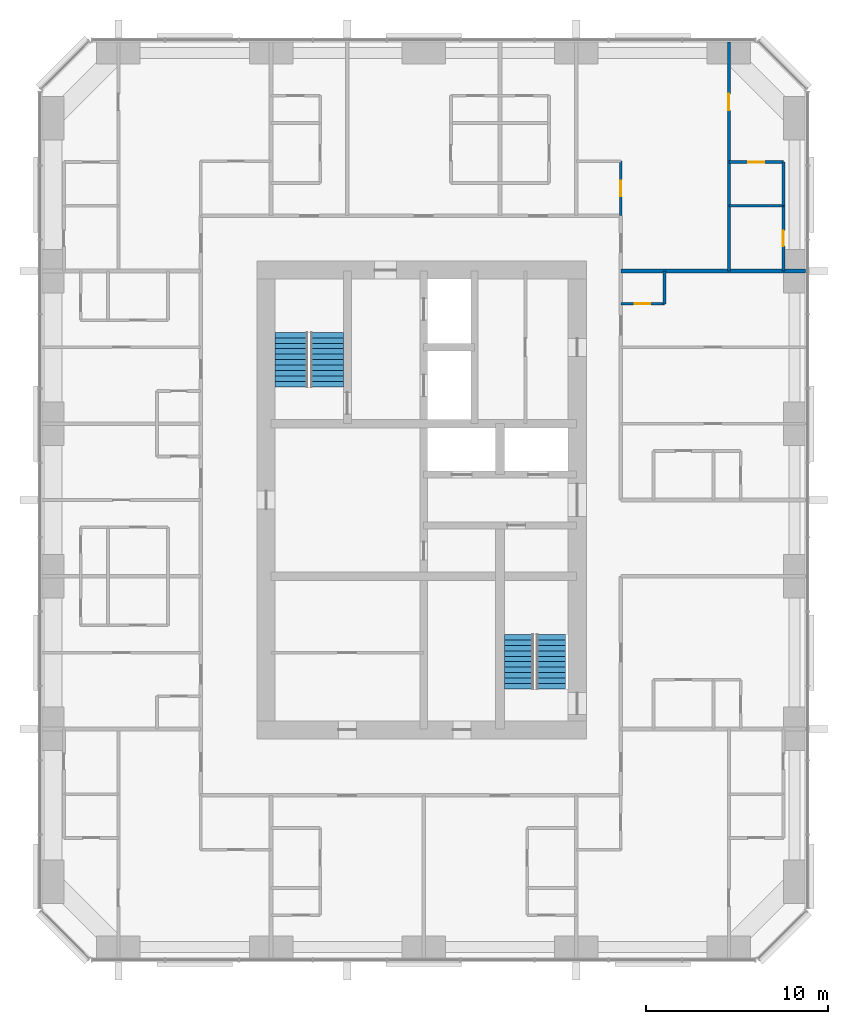
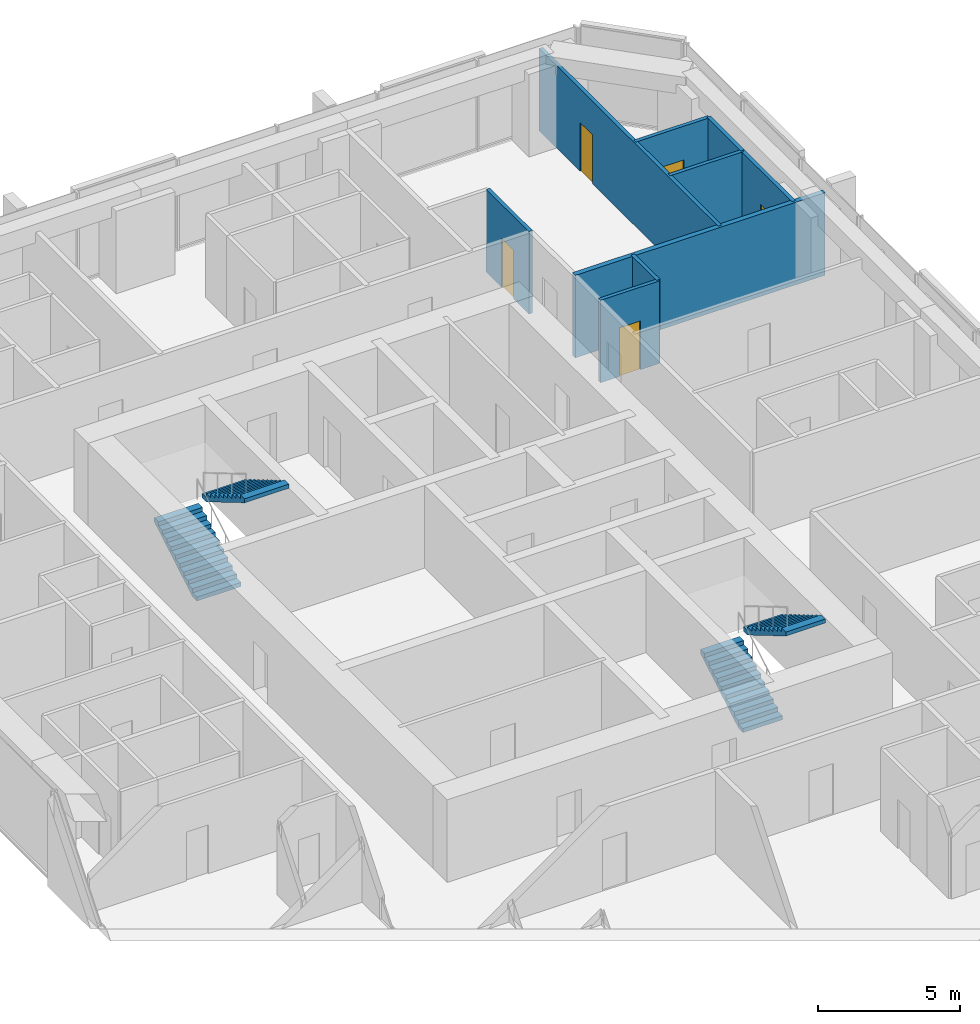
# One storey, part 11 of 12: 9 walls, 5 doors, 4 stair flights, 5 openings, 2 elements without a shape of their own.
"""IFC4 building model written with IfcOpenShell, lengths in metres."""

from ifc_helpers import new_model, si_unit, direction, frame, frame_2d, origin, place, context, subcontext, project, spatial, polyline, rectangle, outline, extrude, material, layer, layer_set, type_object, element, fill, aggregate, save


model = new_model("IFC4")

# Units and contexts
model_context = context("Model", 3, precision=1e-05, world=origin(), true_north=direction((0.0, 1.0)))
body_context = subcontext(model_context, "Body", "Model", "MODEL_VIEW")
ifc_project = project(units=[si_unit("LENGTHUNIT", "METRE"), si_unit("AREAUNIT", "SQUARE_METRE"), si_unit("VOLUMEUNIT", "CUBIC_METRE"), si_unit("PLANEANGLEUNIT", "RADIAN"), si_unit("MASSUNIT", "GRAM", prefix="KILO")], contexts=[model_context])

# Site, building, storey
site_placement = place(None, origin())
site = spatial("IfcSite", under=ifc_project, at=site_placement, CompositionType="ELEMENT")
building_placement = place(site_placement, origin())
building = spatial("IfcBuilding", under=site, at=building_placement, Name="Dunama Terrace Hotel", CompositionType="ELEMENT")
storey_placement = place(building_placement, frame((0.0, 0.0, 229.5)))
storey = spatial("IfcBuildingStorey", under=building, at=storey_placement, Name="L59", CompositionType="ELEMENT", Elevation=229.5)

# Wall, opening, door
ifc_material_1 = material(Name="Gypsum board partition", Category="masonry")
ifc_layer_1 = layer(ifc_material_1, 0.14990234375)
ifc_layer_set_1 = layer_set([ifc_layer_1], Name="Bathroom partition 150")
wall_type_1 = type_object("IfcWallType", Name="Bathroom partition 150", PredefinedType="PARTITIONING", material=ifc_layer_set_1)
wall_1_placement = place(storey_placement, frame((44.449951171875, 45.050048828125, 0.0), z_axis=(0.0, 0.0, 1.0), x_axis=(0.0, 1.0, 0.0)))
wall_1 = element("IfcWall", 1, at=wall_1_placement, inside=storey, type_object=wall_type_1, Name="Bathroom partition 150 L59", PredefinedType="PARTITIONING", context=body_context, shape_type="SweptSolid", body=[
    extrude(rectangle(XDim=3.0, YDim=0.14990234375, at=frame_2d((1.5, 0.0))), origin(), (0.0, 0.0, 1.0), 3.550048828125),
])
opening_1_placement = place(wall_1_placement, frame((1.074951171875, 0.0, 0.0)))
opening_1 = element("IfcOpeningElement", 2, at=opening_1_placement, cuts=wall_1, Name="Opening L59-057", PredefinedType="OPENING", context=body_context, shape_type="SweptSolid", body=[
    extrude(rectangle(XDim=0.85009765625, YDim=2.10009765625, at=frame_2d((0.425048828125, 1.050048828125))), frame((0.0, 0.0849609375, 0.0), z_axis=(0.0, -1.0, 0.0), x_axis=(1.0, 0.0, 0.0)), (0.0, 0.0, 1.0), 0.169921875),
])
ifc_material_2 = material(Name="Timber door with steel frame", Category="steel")
door_type_1 = type_object("IfcDoorType", Name="Bathroom door 850", OperationType="SINGLE_SWING_LEFT", PredefinedType="DOOR", material=ifc_material_2)
door_1_placement = place(opening_1_placement, origin())
door_1 = element("IfcDoor", 3, at=door_1_placement, inside=storey, type_object=door_type_1, Name="Door to powder room L59-057, type D2", OperationType="SINGLE_SWING_LEFT", OverallHeight=2.10009765625, OverallWidth=0.85009765625, PredefinedType="DOOR", context=body_context, shape_type="SweptSolid", body=[
    extrude(rectangle(XDim=0.85009765625, YDim=2.10009765625, at=frame_2d((0.425048828125, 1.050048828125))), frame((0.0, 0.02490234375, 0.0), z_axis=(0.0, -1.0, 0.0), x_axis=(1.0, 0.0, 0.0)), (0.0, 0.0, 1.0), 0.050048828125),
])
fill(opening_1, door_1)

# Wall
wall_2_placement = place(storey_placement, frame((46.85009765625, 40.199951171875, 0.0), z_axis=(0.0, 0.0, 1.0), x_axis=(0.0, 1.0, 0.0)))
element("IfcWall", 4, at=wall_2_placement, inside=storey, type_object=wall_type_1, Name="Bathroom partition 150 L59", PredefinedType="PARTITIONING", context=body_context, shape_type="SweptSolid", body=[
    extrude(rectangle(XDim=1.800048828125, YDim=0.14990234375, at=frame_2d((0.89990234375, 0.0))), origin(), (0.0, 0.0, 1.0), 3.550048828125),
])

# Wall, opening, door
wall_3_placement = place(storey_placement, frame((53.39990234375, 42.0, 0.0), z_axis=(0.0, 0.0, 1.0), x_axis=(0.0, 1.0, 0.0)))
wall_3 = element("IfcWall", 5, at=wall_3_placement, inside=storey, type_object=wall_type_1, Name="Bathroom partition 150 L59", PredefinedType="PARTITIONING", context=body_context, shape_type="SweptSolid", body=[
    extrude(rectangle(XDim=3.60009765625, YDim=0.14990234375, at=frame_2d((1.800048828125, 0.0))), origin(), (0.0, 0.0, 1.0), 3.550048828125),
])
opening_2_placement = place(wall_3_placement, frame((1.375, 0.0, 0.0)))
opening_2 = element("IfcOpeningElement", 6, at=opening_2_placement, cuts=wall_3, Name="Opening L59-059", PredefinedType="OPENING", context=body_context, shape_type="SweptSolid", body=[
    extrude(rectangle(XDim=0.85009765625, YDim=2.10009765625, at=frame_2d((0.425048828125, 1.050048828125))), frame((0.0, 0.0849609375, 0.0), z_axis=(0.0, -1.0, 0.0), x_axis=(1.0, 0.0, 0.0)), (0.0, 0.0, 1.0), 0.169921875),
])
door_2_placement = place(opening_2_placement, origin())
door_2 = element("IfcDoor", 7, at=door_2_placement, inside=storey, type_object=door_type_1, Name="Door to en-suite bathroom L59-059, type D2", OperationType="SINGLE_SWING_LEFT", OverallHeight=2.10009765625, OverallWidth=0.85009765625, PredefinedType="DOOR", context=body_context, shape_type="SweptSolid", body=[
    extrude(rectangle(XDim=0.85009765625, YDim=2.10009765625, at=frame_2d((0.425048828125, 1.050048828125))), frame((0.0, 0.02490234375, 0.0), z_axis=(0.0, -1.0, 0.0), x_axis=(1.0, 0.0, 0.0)), (0.0, 0.0, 1.0), 0.050048828125),
])
fill(opening_2, door_2)

wall_4_placement = place(storey_placement, frame((44.449951171875, 40.199951171875, 0.0), z_axis=(0.0, 0.0, 1.0), x_axis=(1.0, 0.0, 0.0)))
wall_4 = element("IfcWall", 8, at=wall_4_placement, inside=storey, type_object=wall_type_1, Name="Bathroom partition 150 L59", PredefinedType="PARTITIONING", context=body_context, shape_type="SweptSolid", body=[
    extrude(rectangle(XDim=2.400146484375, YDim=0.14990234375, at=frame_2d((1.2001953125, 0.0))), origin(), (0.0, 0.0, 1.0), 3.550048828125),
])
opening_3_placement = place(wall_4_placement, frame((0.77490234375, 0.0, 0.0)))
opening_3 = element("IfcOpeningElement", 9, at=opening_3_placement, cuts=wall_4, Name="Opening L59-017", PredefinedType="OPENING", context=body_context, shape_type="SweptSolid", body=[
    extrude(rectangle(XDim=0.85009765625, YDim=2.10009765625, at=frame_2d((0.425048828125, 1.050048828125))), frame((0.0, 0.0849609375, 0.0), z_axis=(0.0, -1.0, 0.0), x_axis=(1.0, 0.0, 0.0)), (0.0, 0.0, 1.0), 0.169921875),
])
door_3_placement = place(opening_3_placement, origin())
door_3 = element("IfcDoor", 10, at=door_3_placement, inside=storey, type_object=door_type_1, Name="Door to powder room L59-017, type D2", OperationType="SINGLE_SWING_LEFT", OverallHeight=2.10009765625, OverallWidth=0.85009765625, PredefinedType="DOOR", context=body_context, shape_type="SweptSolid", body=[
    extrude(rectangle(XDim=0.85009765625, YDim=2.10009765625, at=frame_2d((0.425048828125, 1.050048828125))), frame((0.0, 0.02490234375, 0.0), z_axis=(0.0, -1.0, 0.0), x_axis=(1.0, 0.0, 0.0)), (0.0, 0.0, 1.0), 0.050048828125),
])
fill(opening_3, door_3)

# Wall
ifc_material_3 = material(Name="Concrete blockwork", Category="masonry")
ifc_layer_2 = layer(ifc_material_3, 0.199951171875)
ifc_layer_set_2 = layer_set([ifc_layer_2], Name="Party wall 200")
wall_type_2 = type_object("IfcWallType", Name="Party wall 200", PredefinedType="PARTITIONING", material=ifc_layer_set_2)
wall_5_placement = place(storey_placement, frame((44.449951171875, 42.0, 0.0), z_axis=(0.0, 0.0, 1.0), x_axis=(1.0, 0.0, 0.0)))
element("IfcWall", 11, at=wall_5_placement, inside=storey, type_object=wall_type_2, Name="Party wall 200 L59", PredefinedType="PARTITIONING", context=body_context, shape_type="SweptSolid", body=[
    extrude(rectangle(XDim=10.16796875, YDim=0.199951171875, at=frame_2d((5.083984375, 0.0))), origin(), (0.0, 0.0, 1.0), 3.550048828125),
])

# Wall, opening, door
ifc_material_4 = material(Name="Gypsum board partition", Category="masonry")
ifc_layer_3 = layer(ifc_material_4, 0.14990234375)
ifc_layer_set_3 = layer_set([ifc_layer_3], Name="Room partition 150")
wall_type_3 = type_object("IfcWallType", Name="Room partition 150", PredefinedType="PARTITIONING", material=ifc_layer_set_3)
wall_6_placement = place(storey_placement, frame((50.39990234375, 42.0, 0.0), z_axis=(0.0, 0.0, 1.0), x_axis=(0.0, 1.0, 0.0)))
wall_6 = element("IfcWall", 12, at=wall_6_placement, inside=storey, type_object=wall_type_3, Name="Room partition 150 L59", PredefinedType="PARTITIONING", context=body_context, shape_type="SweptSolid", body=[
    extrude(rectangle(XDim=12.617919921875, YDim=0.14990234375, at=frame_2d((6.30908203125, 0.0))), origin(), (0.0, 0.0, 1.0), 3.550048828125),
])
opening_4_placement = place(wall_6_placement, frame((8.85009765625, 0.0, 0.0)))
opening_4 = element("IfcOpeningElement", 13, at=opening_4_placement, cuts=wall_6, Name="Opening L59-058", PredefinedType="OPENING", context=body_context, shape_type="SweptSolid", body=[
    extrude(rectangle(XDim=0.89990234375, YDim=2.10009765625, at=frame_2d((0.449951171875, 1.050048828125))), frame((0.0, 0.0849609375, 0.0), z_axis=(0.0, -1.0, 0.0), x_axis=(1.0, 0.0, 0.0)), (0.0, 0.0, 1.0), 0.169921875),
])
ifc_material_5 = material(Name="Timber door with steel frame", Category="steel")
door_type_2 = type_object("IfcDoorType", Name="Suite internal door 900", OperationType="SINGLE_SWING_LEFT", PredefinedType="DOOR", material=ifc_material_5)
door_4_placement = place(opening_4_placement, frame((0.89990234375, 0.0, 0.0), z_axis=(0.0, 0.0, 1.0), x_axis=(-1.0, 0.0, 0.0)))
door_4 = element("IfcDoor", 14, at=door_4_placement, inside=storey, type_object=door_type_2, Name="Door to grand corner suite bedroom L59-058, type D16", OperationType="SINGLE_SWING_LEFT", OverallHeight=2.10009765625, OverallWidth=0.89990234375, PredefinedType="DOOR", context=body_context, shape_type="SweptSolid", body=[
    extrude(rectangle(XDim=0.89990234375, YDim=2.10009765625, at=frame_2d((0.449951171875, 1.050048828125))), frame((0.0, 0.025146484375, 0.0), z_axis=(0.0, -1.0, 0.0), x_axis=(1.0, 0.0, 0.0)), (0.0, 0.0, 1.0), 0.050048828125),
])
fill(opening_4, door_4)

# Walls
wall_7_placement = place(storey_placement, frame((53.39990234375, 45.60009765625, 0.0), z_axis=(0.0, 0.0, 1.0), x_axis=(0.0, 1.0, 0.0)))
element("IfcWall", 15, at=wall_7_placement, inside=storey, type_object=wall_type_3, Name="Room partition 150 L59", PredefinedType="PARTITIONING", context=body_context, shape_type="SweptSolid", body=[
    extrude(rectangle(XDim=2.39990234375, YDim=0.14990234375, at=frame_2d((1.199951171875, 0.0))), origin(), (0.0, 0.0, 1.0), 3.550048828125),
])
wall_8_placement = place(storey_placement, frame((50.39990234375, 45.60009765625, 0.0), z_axis=(0.0, 0.0, 1.0), x_axis=(1.0, 0.0, 0.0)))
element("IfcWall", 16, at=wall_8_placement, inside=storey, type_object=wall_type_3, Name="Room partition 150 L59", PredefinedType="PARTITIONING", context=body_context, shape_type="SweptSolid", body=[
    extrude(rectangle(XDim=3.0, YDim=0.14990234375, at=frame_2d((1.5, 0.0))), origin(), (0.0, 0.0, 1.0), 3.550048828125),
])

# Wall, opening, door
wall_9_placement = place(storey_placement, frame((50.39990234375, 48.0, 0.0), z_axis=(0.0, 0.0, 1.0), x_axis=(1.0, 0.0, 0.0)))
wall_9 = element("IfcWall", 17, at=wall_9_placement, inside=storey, type_object=wall_type_3, Name="Room partition 150 L59", PredefinedType="PARTITIONING", context=body_context, shape_type="SweptSolid", body=[
    extrude(rectangle(XDim=3.0, YDim=0.14990234375, at=frame_2d((1.5, 0.0))), origin(), (0.0, 0.0, 1.0), 3.550048828125),
])
opening_5_placement = place(wall_9_placement, frame((1.050048828125, 0.0, 0.0)))
opening_5 = element("IfcOpeningElement", 18, at=opening_5_placement, cuts=wall_9, Name="Opening L59-060", PredefinedType="OPENING", context=body_context, shape_type="SweptSolid", body=[
    extrude(rectangle(XDim=0.89990234375, YDim=2.10009765625, at=frame_2d((0.449951171875, 1.050048828125))), frame((0.0, 0.0849609375, 0.0), z_axis=(0.0, -1.0, 0.0), x_axis=(1.0, 0.0, 0.0)), (0.0, 0.0, 1.0), 0.169921875),
])
door_5_placement = place(opening_5_placement, frame((0.89990234375, 0.0, 0.0), z_axis=(0.0, 0.0, 1.0), x_axis=(-1.0, 0.0, 0.0)))
door_5 = element("IfcDoor", 19, at=door_5_placement, inside=storey, type_object=door_type_2, Name="Door to dressing room L59-060, type D16", OperationType="SINGLE_SWING_RIGHT", OverallHeight=2.10009765625, OverallWidth=0.89990234375, PredefinedType="DOOR", context=body_context, shape_type="SweptSolid", body=[
    extrude(rectangle(XDim=0.89990234375, YDim=2.10009765625, at=frame_2d((0.449951171875, 1.050048828125))), frame((0.0, 0.025146484375, 0.0), z_axis=(0.0, -1.0, 0.0), x_axis=(1.0, 0.0, 0.0)), (0.0, 0.0, 1.0), 0.050048828125),
])
fill(opening_5, door_5)

# Stair, stair flights
ifc_material_6 = material(Name="Concrete C40/50", Category="concrete")
stair_type_1 = type_object("IfcStairType", Name="Stair ST1-3900-1800", PredefinedType="HALF_TURN_STAIR", material=ifc_material_6)
stair_1_placement = place(storey_placement, origin())
stair_1 = element("IfcStair", 20, at=stair_1_placement, inside=storey, type_object=stair_type_1, Name="Stair ST1 L59", PredefinedType="HALF_TURN_STAIR")
ifc_material_7 = material(Name="Concrete C40/50", Category="concrete")
stair_flight_type_1 = type_object("IfcStairFlightType", Name="Stair flight ST1-3900-1800", PredefinedType="STRAIGHT", material=ifc_material_7)
stair_flight_1_placement = place(storey_placement, frame((26.324951171875, 35.625, 0.0), z_axis=(0.0, 0.0, 1.0), x_axis=(0.0, 1.0, 0.0)))
stair_flight_1 = element("IfcStairFlight", 21, at=stair_flight_1_placement, type_object=stair_flight_type_1, Name="ST1 flight 1", NumberOfRisers=11, NumberOfTreads=10, PredefinedType="STRAIGHT", RiserHeight=0.177272727, TreadLength=0.3, context=body_context, shape_type="SweptSolid", body=[
    extrude(outline(polyline([(0.0, 0.0), (0.0, 0.17724609375), (0.300048828125, 0.17724609375), (0.300048828125, 0.3544921875), (0.60009765625, 0.3544921875), (0.60009765625, 0.53173828125), (0.89990234375, 0.53173828125), (0.89990234375, 0.708984375), (1.199951171875, 0.708984375), (1.199951171875, 0.886474609375), (1.5, 0.886474609375), (1.5, 1.063720703125), (1.800048828125, 1.063720703125), (1.800048828125, 1.240966796875), (2.10009765625, 1.240966796875), (2.10009765625, 1.418212890625), (2.39990234375, 1.418212890625), (2.39990234375, 1.595458984375), (2.699951171875, 1.595458984375), (2.699951171875, 1.772705078125), (3.0, 1.772705078125), (3.0, 1.949951171875), (3.0, 1.5986328125), (0.294677734375, 0.0), (0.0, 0.0)])), frame((0.0, 0.89990234375, 0.0), z_axis=(0.0, -1.0, 0.0), x_axis=(1.0, 0.0, 0.0)), (0.0, 0.0, 1.0), 1.800048828125),
])
stair_flight_2_placement = place(storey_placement, frame((28.27490234375, 38.625, 1.949951171875), z_axis=(0.0, 0.0, 1.0), x_axis=(0.0, -1.0, 0.0)))
stair_flight_2 = element("IfcStairFlight", 22, at=stair_flight_2_placement, type_object=stair_flight_type_1, Name="ST1 flight 2", NumberOfRisers=11, NumberOfTreads=10, PredefinedType="STRAIGHT", RiserHeight=0.177272727, TreadLength=0.3, context=body_context, shape_type="SweptSolid", body=[
    extrude(outline(polyline([(0.0, 0.0), (0.0, 0.17724609375), (0.300048828125, 0.17724609375), (0.300048828125, 0.3544921875), (0.60009765625, 0.3544921875), (0.60009765625, 0.53173828125), (0.89990234375, 0.53173828125), (0.89990234375, 0.708984375), (1.199951171875, 0.708984375), (1.199951171875, 0.886474609375), (1.5, 0.886474609375), (1.5, 1.063720703125), (1.800048828125, 1.063720703125), (1.800048828125, 1.240966796875), (2.10009765625, 1.240966796875), (2.10009765625, 1.418212890625), (2.39990234375, 1.418212890625), (2.39990234375, 1.595458984375), (2.699951171875, 1.595458984375), (2.699951171875, 1.772705078125), (3.0, 1.772705078125), (3.0, 1.949951171875), (3.0, 1.5986328125), (0.294677734375, 0.0), (0.0, 0.0)])), frame((0.0, 0.89990234375, 0.0), z_axis=(0.0, -1.0, 0.0), x_axis=(1.0, 0.0, 0.0)), (0.0, 0.0, 1.0), 1.800048828125),
])
aggregate(stair_1, [stair_flight_1, stair_flight_2])

ifc_material_8 = material(Name="Concrete C40/50", Category="concrete")
stair_type_2 = type_object("IfcStairType", Name="Stair ST2-3900-1600", PredefinedType="HALF_TURN_STAIR", material=ifc_material_8)
stair_2_placement = place(storey_placement, origin())
stair_2 = element("IfcStair", 23, at=stair_2_placement, inside=storey, type_object=stair_type_2, Name="Stair ST2 L59", PredefinedType="HALF_TURN_STAIR")
ifc_material_9 = material(Name="Concrete C40/50", Category="concrete")
stair_flight_type_2 = type_object("IfcStairFlightType", Name="Stair flight ST2-3900-1600", PredefinedType="STRAIGHT", material=ifc_material_9)
stair_flight_3_placement = place(storey_placement, frame((38.85009765625, 19.0, 0.0), z_axis=(0.0, 0.0, 1.0), x_axis=(0.0, 1.0, 0.0)))
stair_flight_3 = element("IfcStairFlight", 24, at=stair_flight_3_placement, type_object=stair_flight_type_2, Name="ST2 flight 1", NumberOfRisers=11, NumberOfTreads=10, PredefinedType="STRAIGHT", RiserHeight=0.177272727, TreadLength=0.3, context=body_context, shape_type="SweptSolid", body=[
    extrude(outline(polyline([(0.0, 0.0), (0.0, 0.17724609375), (0.300048828125, 0.17724609375), (0.300048828125, 0.3544921875), (0.60009765625, 0.3544921875), (0.60009765625, 0.53173828125), (0.89990234375, 0.53173828125), (0.89990234375, 0.708984375), (1.199951171875, 0.708984375), (1.199951171875, 0.886474609375), (1.5, 0.886474609375), (1.5, 1.063720703125), (1.800048828125, 1.063720703125), (1.800048828125, 1.240966796875), (2.10009765625, 1.240966796875), (2.10009765625, 1.418212890625), (2.39990234375, 1.418212890625), (2.39990234375, 1.595458984375), (2.699951171875, 1.595458984375), (2.699951171875, 1.772705078125), (3.0, 1.772705078125), (3.0, 1.949951171875), (3.0, 1.5986328125), (0.294677734375, 0.0), (0.0, 0.0)])), frame((0.0, 0.800048828125, 0.0), z_axis=(0.0, -1.0, 0.0), x_axis=(1.0, 0.0, 0.0)), (0.0, 0.0, 1.0), 1.60009765625),
])
stair_flight_4_placement = place(storey_placement, frame((40.60009765625, 22.0, 1.949951171875), z_axis=(0.0, 0.0, 1.0), x_axis=(0.0, -1.0, 0.0)))
stair_flight_4 = element("IfcStairFlight", 25, at=stair_flight_4_placement, type_object=stair_flight_type_2, Name="ST2 flight 2", NumberOfRisers=11, NumberOfTreads=10, PredefinedType="STRAIGHT", RiserHeight=0.177272727, TreadLength=0.3, context=body_context, shape_type="SweptSolid", body=[
    extrude(outline(polyline([(0.0, 0.0), (0.0, 0.17724609375), (0.300048828125, 0.17724609375), (0.300048828125, 0.3544921875), (0.60009765625, 0.3544921875), (0.60009765625, 0.53173828125), (0.89990234375, 0.53173828125), (0.89990234375, 0.708984375), (1.199951171875, 0.708984375), (1.199951171875, 0.886474609375), (1.5, 0.886474609375), (1.5, 1.063720703125), (1.800048828125, 1.063720703125), (1.800048828125, 1.240966796875), (2.10009765625, 1.240966796875), (2.10009765625, 1.418212890625), (2.39990234375, 1.418212890625), (2.39990234375, 1.595458984375), (2.699951171875, 1.595458984375), (2.699951171875, 1.772705078125), (3.0, 1.772705078125), (3.0, 1.949951171875), (3.0, 1.5986328125), (0.294677734375, 0.0), (0.0, 0.0)])), frame((0.0, 0.800048828125, 0.0), z_axis=(0.0, -1.0, 0.0), x_axis=(1.0, 0.0, 0.0)), (0.0, 0.0, 1.0), 1.60009765625),
])
aggregate(stair_2, [stair_flight_3, stair_flight_4])

save(model, "model.ifc")
